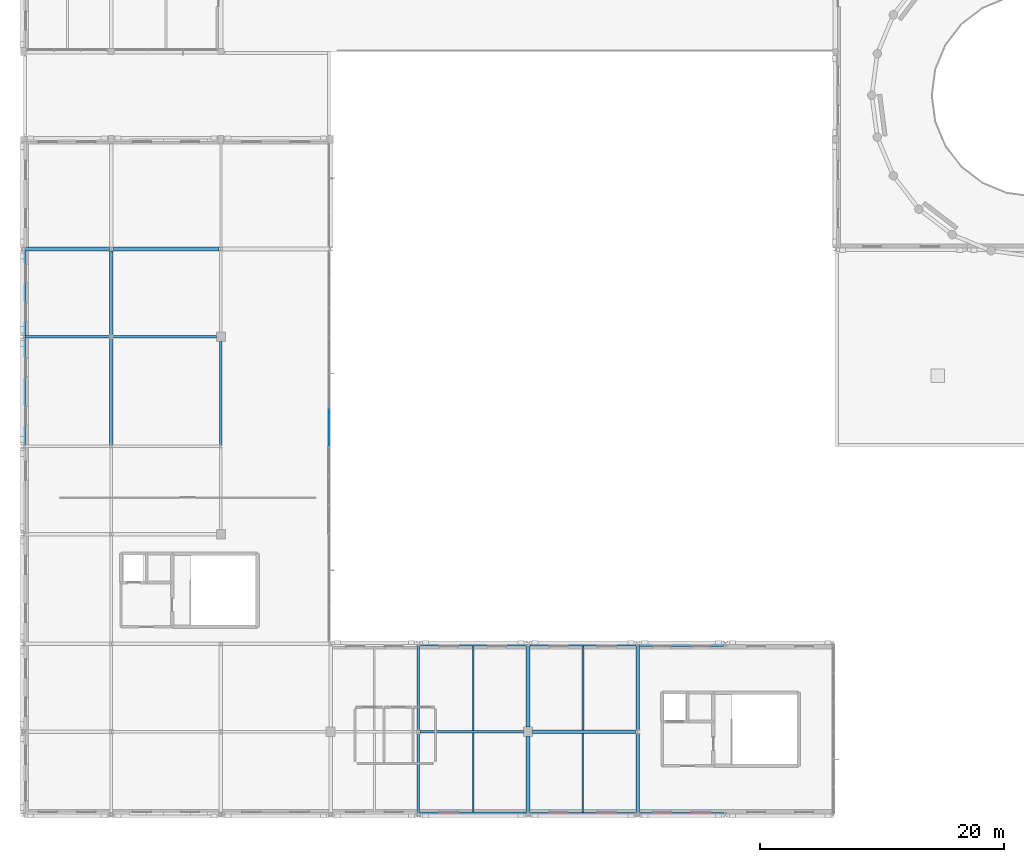
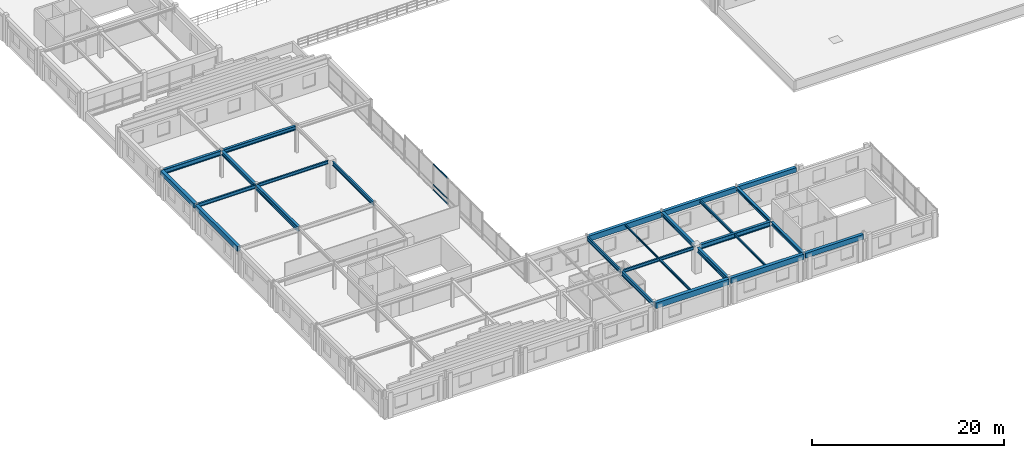
# One storey, part 18 of 74: 27 beams, 3 members, 1 element without a shape of its own.
"""IFC4 building model written with IfcOpenShell, lengths in metres."""

from ifc_helpers import new_model, si_unit, direction, frame, origin, origin_2d, place, context, subcontext, project, spatial, rectangle, i_section, extrude, material, material_profile, profile_set, type_object, element, aggregate, save


model = new_model("IFC4")

# Units and contexts
model_context = context("Model", 3, precision=1e-05, world=origin(), true_north=direction((0.0, 1.0)))
body_context = subcontext(model_context, "Body", "Model", "MODEL_VIEW")
ifc_project = project(units=[si_unit("LENGTHUNIT", "METRE"), si_unit("AREAUNIT", "SQUARE_METRE"), si_unit("VOLUMEUNIT", "CUBIC_METRE"), si_unit("PLANEANGLEUNIT", "RADIAN"), si_unit("MASSUNIT", "GRAM", prefix="KILO")], contexts=[model_context])

# Site, building, storey
site_placement = place(None, origin())
site = spatial("IfcSite", under=ifc_project, at=site_placement, CompositionType="ELEMENT")
building_placement = place(site_placement, origin())
building = spatial("IfcBuilding", under=site, at=building_placement, Name="Clarverna Civic Hall", CompositionType="ELEMENT")
storey_placement = place(building_placement, frame((0.0, 0.0, 13.199951171875)))
storey = spatial("IfcBuildingStorey", under=building, at=storey_placement, Name="L03", CompositionType="ELEMENT", Elevation=13.199951171875)

# Beams
ifc_material_1 = material(Name="Concrete C35/45", Category="concrete")
ifc_material_profile_1 = material_profile(ifc_material_1, rectangle(XDim=0.419921875, YDim=0.719970703125, at=origin_2d()), Name="RC 420x720")
ifc_profile_set_1 = profile_set([ifc_material_profile_1], Name="Concrete C35/45")
beam_type_1 = type_object("IfcBeamType", Name="B-SP1", PredefinedType="SPANDREL", material=ifc_profile_set_1)
beam_1_placement = place(storey_placement, frame((32.5, 0.0, 2.97998046875), z_axis=(1.0, 0.0, 0.0), x_axis=(0.0, 1.0, 0.0)))
element("IfcBeam", 1, at=beam_1_placement, inside=storey, type_object=beam_type_1, Name="B-SP1-107", PredefinedType="SPANDREL", context=body_context, shape_type="SweptSolid", body=[
    extrude(rectangle(XDim=0.419921875, YDim=0.719970703125, at=origin_2d()), origin(), (0.0, 0.0, 1.0), 8.800048828125),
])
ifc_material_profile_2 = material_profile(ifc_material_1, rectangle(XDim=0.3798828125, YDim=0.679931640625, at=origin_2d()), Name="RC 380x680")
ifc_profile_set_2 = profile_set([ifc_material_profile_2], Name="Concrete C35/45")
beam_type_2 = type_object("IfcBeamType", Name="B-SP2", PredefinedType="SPANDREL", material=ifc_profile_set_2)
beam_2_placement = place(storey_placement, frame((41.5, 0.0, 3.0), z_axis=(1.0, 0.0, 0.0), x_axis=(0.0, 1.0, 0.0)))
element("IfcBeam", 2, at=beam_2_placement, inside=storey, type_object=beam_type_2, Name="B-SP2-110", PredefinedType="SPANDREL", context=body_context, shape_type="SweptSolid", body=[
    extrude(rectangle(XDim=0.3798828125, YDim=0.679931640625, at=origin_2d()), origin(), (0.0, 0.0, 1.0), 8.800048828125),
])
beam_3_placement = place(storey_placement, frame((32.5400390625, 14.0, 3.0), z_axis=(1.0, 0.0, 0.0), x_axis=(0.0, 1.0, 0.0)))
element("IfcBeam", 3, at=beam_3_placement, inside=storey, type_object=beam_type_2, Name="B-SP2-111", PredefinedType="SPANDREL", context=body_context, shape_type="SweptSolid", body=[
    extrude(rectangle(XDim=0.3798828125, YDim=0.679931640625, at=origin_2d()), origin(), (0.0, 0.0, 1.0), 8.719970703125),
])
ifc_material_profile_3 = material_profile(ifc_material_1, rectangle(XDim=0.360107421875, YDim=0.6201171875, at=origin_2d()), Name="RC 360x620")
ifc_profile_set_3 = profile_set([ifc_material_profile_3], Name="Concrete C35/45")
beam_type_3 = type_object("IfcBeamType", Name="B-SP3", PredefinedType="SPANDREL", material=ifc_profile_set_3)
beam_4_placement = place(storey_placement, frame((50.5, 0.0, 3.030029296875), z_axis=(1.0, 0.0, 0.0), x_axis=(0.0, 1.0, 0.0)))
element("IfcBeam", 4, at=beam_4_placement, inside=storey, type_object=beam_type_3, Name="B-SP3-108", PredefinedType="SPANDREL", context=body_context, shape_type="SweptSolid", body=[
    extrude(rectangle(XDim=0.360107421875, YDim=0.6201171875, at=origin_2d()), origin(), (0.0, 0.0, 1.0), 6.949951171875),
])
beam_5_placement = place(storey_placement, frame((41.5400390625, 14.0, 3.030029296875), z_axis=(1.0, 0.0, 0.0), x_axis=(0.0, 1.0, 0.0)))
element("IfcBeam", 5, at=beam_5_placement, inside=storey, type_object=beam_type_3, Name="B-SP3-109", PredefinedType="SPANDREL", context=body_context, shape_type="SweptSolid", body=[
    extrude(rectangle(XDim=0.360107421875, YDim=0.6201171875, at=origin_2d()), origin(), (0.0, 0.0, 1.0), 8.719970703125),
])
beam_6_placement = place(storey_placement, frame((0.0, 30.330078125, 3.130126953125), z_axis=(0.0, 1.0, 0.0), x_axis=(-1.0, 0.0, 0.0)))
element("IfcBeam", 6, at=beam_6_placement, inside=storey, type_object=beam_type_3, Name="B-SP3-120", PredefinedType="SPANDREL", context=body_context, shape_type="SweptSolid", body=[
    extrude(rectangle(XDim=0.360107421875, YDim=0.6201171875, at=origin_2d()), origin(), (0.0, 0.0, 1.0), 8.75),
])
ifc_material_profile_4 = material_profile(ifc_material_1, rectangle(XDim=0.39990234375, YDim=0.56005859375, at=origin_2d()), Name="RC 400x560")
ifc_profile_set_4 = profile_set([ifc_material_profile_4], Name="Concrete C35/45")
beam_type_4 = type_object("IfcBeamType", Name="B-SP4", PredefinedType="SPANDREL", material=ifc_profile_set_4)
beam_7_placement = place(storey_placement, frame((50.5400390625, 14.0, 3.06005859375), z_axis=(1.0, 0.0, 0.0), x_axis=(0.0, 1.0, 0.0)))
element("IfcBeam", 7, at=beam_7_placement, inside=storey, type_object=beam_type_4, Name="B-SP4-109", PredefinedType="SPANDREL", context=body_context, shape_type="SweptSolid", body=[
    extrude(rectangle(XDim=0.39990234375, YDim=0.56005859375, at=origin_2d()), origin(), (0.0, 0.0, 1.0), 6.919921875),
])
beam_8_placement = place(storey_placement, frame((0.0, 39.320068359375, 3.16015625), z_axis=(0.0, 1.0, 0.0), x_axis=(-1.0, 0.0, 0.0)))
element("IfcBeam", 8, at=beam_8_placement, inside=storey, type_object=beam_type_4, Name="B-SP4-120", PredefinedType="SPANDREL", context=body_context, shape_type="SweptSolid", body=[
    extrude(rectangle(XDim=0.39990234375, YDim=0.56005859375, at=origin_2d()), origin(), (0.0, 0.0, 1.0), 6.97998046875),
])
ifc_material_2 = material(Name="Steel S355", Category="steel")
ifc_material_profile_5 = material_profile(ifc_material_2, i_section(OverallWidth=0.300048828125, OverallDepth=0.60009765625, WebThickness=0.015380859375, FlangeThickness=0.030029296875, FilletRadius=0.027099609375, at=origin_2d()), Name="HEB 600")
ifc_profile_set_5 = profile_set([ifc_material_profile_5], Name="Steel S355")
beam_type_5 = type_object("IfcBeamType", Name="B-ST1", PredefinedType="BEAM", material=ifc_profile_set_5)
beam_9_placement = place(storey_placement, frame((41.77490234375, 6.800048828125, 3.0400390625), z_axis=(1.0, 0.0, 0.0), x_axis=(0.0, 1.0, 0.0)))
element("IfcBeam", 9, at=beam_9_placement, inside=storey, type_object=beam_type_5, Name="B-ST1-012", PredefinedType="BEAM", context=body_context, shape_type="SweptSolid", body=[
    extrude(i_section(OverallWidth=0.300048828125, OverallDepth=0.60009765625, WebThickness=0.015380859375, FlangeThickness=0.030029296875, FilletRadius=0.027099609375, at=origin_2d()), origin(), (0.0, 0.0, 1.0), 8.47509765625),
])
beam_10_placement = place(storey_placement, frame((0.10009765625, 46.39990234375, 3.14013671875), z_axis=(1.0, 0.0, 0.0), x_axis=(0.0, 1.0, 0.0)))
element("IfcBeam", 10, at=beam_10_placement, inside=storey, type_object=beam_type_5, Name="B-ST1-013", PredefinedType="BEAM", context=body_context, shape_type="SweptSolid", body=[
    extrude(i_section(OverallWidth=0.300048828125, OverallDepth=0.60009765625, WebThickness=0.015380859375, FlangeThickness=0.030029296875, FilletRadius=0.027099609375, at=origin_2d()), origin(), (0.0, 0.0, 1.0), 6.949951171875),
])
beam_11_placement = place(storey_placement, frame((7.199951171875, 30.320068359375, 3.14013671875), z_axis=(0.0, 1.0, 0.0), x_axis=(-1.0, 0.0, 0.0)))
element("IfcBeam", 11, at=beam_11_placement, inside=storey, type_object=beam_type_5, Name="B-ST1-015", PredefinedType="BEAM", context=body_context, shape_type="SweptSolid", body=[
    extrude(i_section(OverallWidth=0.300048828125, OverallDepth=0.60009765625, WebThickness=0.015380859375, FlangeThickness=0.030029296875, FilletRadius=0.027099609375, at=origin_2d()), origin(), (0.0, 0.0, 1.0), 8.780029296875),
])
beam_12_placement = place(storey_placement, frame((41.39990234375, 0.10009765625, 3.0400390625), z_axis=(0.0, 1.0, 0.0), x_axis=(-1.0, 0.0, 0.0)))
element("IfcBeam", 12, at=beam_12_placement, inside=storey, type_object=beam_type_5, Name="B-ST1-016", PredefinedType="BEAM", context=body_context, shape_type="SweptSolid", body=[
    extrude(i_section(OverallWidth=0.300048828125, OverallDepth=0.60009765625, WebThickness=0.015380859375, FlangeThickness=0.030029296875, FilletRadius=0.027099609375, at=origin_2d()), origin(), (0.0, 0.0, 1.0), 6.324951171875),
])
ifc_material_profile_6 = material_profile(ifc_material_2, i_section(OverallWidth=0.2099609375, OverallDepth=0.550048828125, WebThickness=0.010986328125, FlangeThickness=0.01708984375, FilletRadius=0.02392578125, at=origin_2d()), Name="IPE 550")
ifc_profile_set_6 = profile_set([ifc_material_profile_6], Name="Steel S355")
beam_type_6 = type_object("IfcBeamType", Name="B-ST11", PredefinedType="BEAM", material=ifc_profile_set_6)
beam_13_placement = place(storey_placement, frame((32.39990234375, 0.10009765625, 3.06494140625), z_axis=(0.0, 1.0, 0.0), x_axis=(-1.0, 0.0, 0.0)))
element("IfcBeam", 13, at=beam_13_placement, inside=storey, type_object=beam_type_6, Name="B-ST11-018", PredefinedType="BEAM", context=body_context, shape_type="SweptSolid", body=[
    extrude(i_section(OverallWidth=0.2099609375, OverallDepth=0.550048828125, WebThickness=0.010986328125, FlangeThickness=0.01708984375, FilletRadius=0.02392578125, at=origin_2d()), origin(), (0.0, 0.0, 1.0), 6.5498046875),
])
ifc_material_profile_7 = material_profile(ifc_material_2, i_section(OverallWidth=0.199951171875, OverallDepth=0.5, WebThickness=0.01025390625, FlangeThickness=0.01611328125, FilletRadius=0.02099609375, at=origin_2d()), Name="IPE 500")
ifc_profile_set_7 = profile_set([ifc_material_profile_7], Name="Steel S355")
beam_type_7 = type_object("IfcBeamType", Name="B-ST12", PredefinedType="BEAM", material=ifc_profile_set_7)
beam_14_placement = place(storey_placement, frame((16.199951171875, 30.320068359375, 3.18994140625), z_axis=(0.0, 1.0, 0.0), x_axis=(-1.0, 0.0, 0.0)))
element("IfcBeam", 14, at=beam_14_placement, inside=storey, type_object=beam_type_7, Name="B-ST12-015", PredefinedType="BEAM", context=body_context, shape_type="SweptSolid", body=[
    extrude(i_section(OverallWidth=0.199951171875, OverallDepth=0.5, WebThickness=0.01025390625, FlangeThickness=0.01611328125, FilletRadius=0.02099609375, at=origin_2d()), origin(), (0.0, 0.0, 1.0), 8.5048828125),
])
beam_15_placement = place(storey_placement, frame((32.39990234375, 6.949951171875, 3.090087890625), z_axis=(0.0, 1.0, 0.0), x_axis=(-1.0, 0.0, 0.0)))
element("IfcBeam", 15, at=beam_15_placement, inside=storey, type_object=beam_type_7, Name="B-ST12-016", PredefinedType="BEAM", context=body_context, shape_type="SweptSolid", body=[
    extrude(i_section(OverallWidth=0.199951171875, OverallDepth=0.5, WebThickness=0.01025390625, FlangeThickness=0.01611328125, FilletRadius=0.02099609375, at=origin_2d()), origin(), (0.0, 0.0, 1.0), 6.91015625),
])
ifc_material_profile_8 = material_profile(ifc_material_2, i_section(OverallWidth=0.18994140625, OverallDepth=0.449951171875, WebThickness=0.009521484375, FlangeThickness=0.0146484375, FilletRadius=0.02099609375, at=origin_2d()), Name="IPE 450")
ifc_profile_set_8 = profile_set([ifc_material_profile_8], Name="Steel S355")
beam_type_8 = type_object("IfcBeamType", Name="B-ST13", PredefinedType="BEAM", material=ifc_profile_set_8)
beam_16_placement = place(storey_placement, frame((0.1201171875, 39.199951171875, 3.215087890625), z_axis=(1.0, 0.0, 0.0), x_axis=(0.0, 1.0, 0.0)))
element("IfcBeam", 16, at=beam_16_placement, inside=storey, type_object=beam_type_8, Name="B-ST13-013", PredefinedType="BEAM", context=body_context, shape_type="SweptSolid", body=[
    extrude(i_section(OverallWidth=0.18994140625, OverallDepth=0.449951171875, WebThickness=0.009521484375, FlangeThickness=0.0146484375, FilletRadius=0.02099609375, at=origin_2d()), origin(), (0.0, 0.0, 1.0), 6.97998046875),
])
ifc_material_profile_9 = material_profile(ifc_material_2, i_section(OverallWidth=0.179931640625, OverallDepth=0.39990234375, WebThickness=0.008544921875, FlangeThickness=0.013427734375, FilletRadius=0.02099609375, at=origin_2d()), Name="IPE 400")
ifc_profile_set_9 = profile_set([ifc_material_profile_9], Name="Steel S355")
beam_type_9 = type_object("IfcBeamType", Name="B-ST14", PredefinedType="BEAM", material=ifc_profile_set_9)
beam_17_placement = place(storey_placement, frame((32.550048828125, 6.800048828125, 3.14013671875), z_axis=(1.0, 0.0, 0.0), x_axis=(0.0, 1.0, 0.0)))
element("IfcBeam", 17, at=beam_17_placement, inside=storey, type_object=beam_type_9, Name="B-ST14-014", PredefinedType="BEAM", context=body_context, shape_type="SweptSolid", body=[
    extrude(i_section(OverallWidth=0.179931640625, OverallDepth=0.39990234375, WebThickness=0.008544921875, FlangeThickness=0.013427734375, FilletRadius=0.02099609375, at=origin_2d()), origin(), (0.0, 0.0, 1.0), 8.474853515625),
])
beam_18_placement = place(storey_placement, frame((7.300048828125, 39.199951171875, 3.239990234375), z_axis=(1.0, 0.0, 0.0), x_axis=(0.0, 1.0, 0.0)))
element("IfcBeam", 18, at=beam_18_placement, inside=storey, type_object=beam_type_9, Name="B-ST14-015", PredefinedType="BEAM", context=body_context, shape_type="SweptSolid", body=[
    extrude(i_section(OverallWidth=0.179931640625, OverallDepth=0.39990234375, WebThickness=0.008544921875, FlangeThickness=0.013427734375, FilletRadius=0.02099609375, at=origin_2d()), origin(), (0.0, 0.0, 1.0), 8.52490234375),
])
ifc_material_profile_10 = material_profile(ifc_material_2, i_section(OverallWidth=0.300048828125, OverallDepth=0.5, WebThickness=0.014404296875, FlangeThickness=0.028076171875, FilletRadius=0.027099609375, at=origin_2d()), Name="HEB 500")
ifc_profile_set_10 = profile_set([ifc_material_profile_10], Name="Steel S355")
beam_type_10 = type_object("IfcBeamType", Name="B-ST2", PredefinedType="BEAM", material=ifc_profile_set_10)
beam_19_placement = place(storey_placement, frame((7.35009765625, 46.39990234375, 3.18994140625), z_axis=(1.0, 0.0, 0.0), x_axis=(0.0, 1.0, 0.0)))
element("IfcBeam", 19, at=beam_19_placement, inside=storey, type_object=beam_type_10, Name="B-ST2-010", PredefinedType="BEAM", context=body_context, shape_type="SweptSolid", body=[
    extrude(i_section(OverallWidth=0.300048828125, OverallDepth=0.5, WebThickness=0.014404296875, FlangeThickness=0.028076171875, FilletRadius=0.027099609375, at=origin_2d()), origin(), (0.0, 0.0, 1.0), 8.699951171875),
])
beam_20_placement = place(storey_placement, frame((7.199951171875, 39.300048828125, 3.18994140625), z_axis=(0.0, 1.0, 0.0), x_axis=(-1.0, 0.0, 0.0)))
element("IfcBeam", 20, at=beam_20_placement, inside=storey, type_object=beam_type_10, Name="B-ST2-015", PredefinedType="BEAM", context=body_context, shape_type="SweptSolid", body=[
    extrude(i_section(OverallWidth=0.300048828125, OverallDepth=0.5, WebThickness=0.014404296875, FlangeThickness=0.028076171875, FilletRadius=0.027099609375, at=origin_2d()), origin(), (0.0, 0.0, 1.0), 6.949951171875),
])
beam_21_placement = place(storey_placement, frame((41.39990234375, 7.175048828125, 3.090087890625), z_axis=(0.0, 1.0, 0.0), x_axis=(-1.0, 0.0, 0.0)))
element("IfcBeam", 21, at=beam_21_placement, inside=storey, type_object=beam_type_10, Name="B-ST2-016", PredefinedType="BEAM", context=body_context, shape_type="SweptSolid", body=[
    extrude(i_section(OverallWidth=0.300048828125, OverallDepth=0.5, WebThickness=0.014404296875, FlangeThickness=0.028076171875, FilletRadius=0.027099609375, at=origin_2d()), origin(), (0.0, 0.0, 1.0), 6.68505859375),
])
ifc_material_profile_11 = material_profile(ifc_material_2, i_section(OverallWidth=0.300048828125, OverallDepth=0.43994140625, WebThickness=0.011474609375, FlangeThickness=0.02099609375, FilletRadius=0.027099609375, at=origin_2d()), Name="HEA 450")
ifc_profile_set_11 = profile_set([ifc_material_profile_11], Name="Steel S355")
beam_type_11 = type_object("IfcBeamType", Name="B-ST5", PredefinedType="BEAM", material=ifc_profile_set_11)
beam_22_placement = place(storey_placement, frame((50.39990234375, 0.10009765625, 3.1201171875), z_axis=(0.0, 1.0, 0.0), x_axis=(-1.0, 0.0, 0.0)))
element("IfcBeam", 22, at=beam_22_placement, inside=storey, type_object=beam_type_11, Name="B-ST5-111", PredefinedType="BEAM", context=body_context, shape_type="SweptSolid", body=[
    extrude(i_section(OverallWidth=0.300048828125, OverallDepth=0.43994140625, WebThickness=0.011474609375, FlangeThickness=0.02099609375, FilletRadius=0.027099609375, at=origin_2d()), origin(), (0.0, 0.0, 1.0), 6.5498046875),
])
ifc_material_profile_12 = material_profile(ifc_material_2, i_section(OverallWidth=0.300048828125, OverallDepth=0.389892578125, WebThickness=0.010986328125, FlangeThickness=0.01904296875, FilletRadius=0.027099609375, at=origin_2d()), Name="HEA 400")
ifc_profile_set_12 = profile_set([ifc_material_profile_12], Name="Steel S355")
beam_type_12 = type_object("IfcBeamType", Name="B-ST6", PredefinedType="BEAM", material=ifc_profile_set_12)
beam_23_placement = place(storey_placement, frame((50.39990234375, 6.949951171875, 3.14501953125), z_axis=(0.0, 1.0, 0.0), x_axis=(-1.0, 0.0, 0.0)))
element("IfcBeam", 23, at=beam_23_placement, inside=storey, type_object=beam_type_12, Name="B-ST6-016", PredefinedType="BEAM", context=body_context, shape_type="SweptSolid", body=[
    extrude(i_section(OverallWidth=0.300048828125, OverallDepth=0.389892578125, WebThickness=0.010986328125, FlangeThickness=0.01904296875, FilletRadius=0.027099609375, at=origin_2d()), origin(), (0.0, 0.0, 1.0), 6.91015625),
])

# Curtain wall, members
ifc_material_3 = material(Name="Anodised Bronze Architectural Aluminium", Category="aluminium")
curtain_wall_type = type_object("IfcCurtainWallType", Name="CW-05", PredefinedType="USERDEFINED", material=ifc_material_3)
curtain_wall_placement = place(storey_placement, origin())
curtain_wall = element("IfcCurtainWall", 24, at=curtain_wall_placement, inside=storey, type_object=curtain_wall_type, Name="CW-05-018", ObjectType="UNITISED CURTAIN WALL", PredefinedType="USERDEFINED")
ifc_material_profile_13 = material_profile(ifc_material_3, rectangle(XDim=0.06005859375, YDim=0.1298828125, at=origin_2d()), Name="BRONZE 60x130")
ifc_profile_set_13 = profile_set([ifc_material_profile_13], Name="Anodised Bronze Architectural Aluminium")
member_type = type_object("IfcMemberType", Name="CWT-02", PredefinedType="USERDEFINED", material=ifc_profile_set_13)
member_1_placement = place(storey_placement, frame((25.06005859375, 33.196044921875, 0.094970703125), z_axis=(0.0, -1.0, 0.0), x_axis=(1.0, 0.0, 0.0)))
member_1 = element("IfcMember", 25, at=member_1_placement, type_object=member_type, Name="CWT-02-394", ObjectType="TRANSOM", PredefinedType="USERDEFINED", context=body_context, shape_type="SweptSolid", body=[
    extrude(rectangle(XDim=0.06005859375, YDim=0.1298828125, at=origin_2d()), origin(), (0.0, 0.0, 1.0), 2.947998046875),
])
member_2_placement = place(storey_placement, frame((25.06005859375, 33.196044921875, 0.75), z_axis=(0.0, -1.0, 0.0), x_axis=(1.0, 0.0, 0.0)))
member_2 = element("IfcMember", 26, at=member_2_placement, type_object=member_type, Name="CWT-02-395", ObjectType="TRANSOM", PredefinedType="USERDEFINED", context=body_context, shape_type="SweptSolid", body=[
    extrude(rectangle(XDim=0.06005859375, YDim=0.1298828125, at=origin_2d()), origin(), (0.0, 0.0, 1.0), 2.947998046875),
])
member_3_placement = place(storey_placement, frame((25.06005859375, 33.196044921875, 3.344970703125), z_axis=(0.0, -1.0, 0.0), x_axis=(1.0, 0.0, 0.0)))
member_3 = element("IfcMember", 27, at=member_3_placement, type_object=member_type, Name="CWT-02-396", ObjectType="TRANSOM", PredefinedType="USERDEFINED", context=body_context, shape_type="SweptSolid", body=[
    extrude(rectangle(XDim=0.06005859375, YDim=0.1298828125, at=origin_2d()), origin(), (0.0, 0.0, 1.0), 2.947998046875),
])
aggregate(curtain_wall, [member_1, member_2, member_3])

# Beams
ifc_material_profile_14 = material_profile(ifc_material_2, i_section(OverallWidth=0.169921875, OverallDepth=0.360107421875, WebThickness=0.008056640625, FlangeThickness=0.0126953125, FilletRadius=0.01806640625, at=origin_2d()), Name="IPE 360")
ifc_profile_set_14 = profile_set([ifc_material_profile_14], Name="Steel S355")
beam_type_13 = type_object("IfcBeamType", Name="J-ST1", PredefinedType="JOIST", material=ifc_profile_set_14)
beam_24_placement = place(storey_placement, frame((45.89990234375, 6.949951171875, 3.16015625), z_axis=(0.0, 1.0, 0.0), x_axis=(-1.0, 0.0, 0.0)))
element("IfcBeam", 28, at=beam_24_placement, inside=storey, type_object=beam_type_13, Name="J-ST1-060", PredefinedType="JOIST", context=body_context, shape_type="SweptSolid", body=[
    extrude(i_section(OverallWidth=0.169921875, OverallDepth=0.360107421875, WebThickness=0.008056640625, FlangeThickness=0.0126953125, FilletRadius=0.01806640625, at=origin_2d()), origin(), (0.0, 0.0, 1.0), 6.8701171875),
])
ifc_material_profile_15 = material_profile(ifc_material_2, i_section(OverallWidth=0.14990234375, OverallDepth=0.300048828125, WebThickness=0.007080078125, FlangeThickness=0.0107421875, FilletRadius=0.014892578125, at=origin_2d()), Name="IPE 300")
ifc_profile_set_15 = profile_set([ifc_material_profile_15], Name="Steel S355")
beam_type_14 = type_object("IfcBeamType", Name="J-ST3", PredefinedType="JOIST", material=ifc_profile_set_15)
beam_25_placement = place(storey_placement, frame((36.89990234375, 0.2099609375, 3.18994140625), z_axis=(0.0, 1.0, 0.0), x_axis=(-1.0, 0.0, 0.0)))
element("IfcBeam", 29, at=beam_25_placement, inside=storey, type_object=beam_type_14, Name="J-ST3-060", PredefinedType="JOIST", context=body_context, shape_type="SweptSolid", body=[
    extrude(i_section(OverallWidth=0.14990234375, OverallDepth=0.300048828125, WebThickness=0.007080078125, FlangeThickness=0.0107421875, FilletRadius=0.014892578125, at=origin_2d()), origin(), (0.0, 0.0, 1.0), 6.5),
])
ifc_material_profile_16 = material_profile(ifc_material_2, i_section(OverallWidth=0.135009765625, OverallDepth=0.27001953125, WebThickness=0.006591796875, FlangeThickness=0.01025390625, FilletRadius=0.014892578125, at=origin_2d()), Name="IPE 270")
ifc_profile_set_16 = profile_set([ifc_material_profile_16], Name="Steel S355")
beam_type_15 = type_object("IfcBeamType", Name="J-ST4", PredefinedType="JOIST", material=ifc_profile_set_16)
beam_26_placement = place(storey_placement, frame((45.89990234375, 0.18994140625, 3.205078125), z_axis=(0.0, 1.0, 0.0), x_axis=(-1.0, 0.0, 0.0)))
element("IfcBeam", 30, at=beam_26_placement, inside=storey, type_object=beam_type_15, Name="J-ST4-062", PredefinedType="JOIST", context=body_context, shape_type="SweptSolid", body=[
    extrude(i_section(OverallWidth=0.135009765625, OverallDepth=0.27001953125, WebThickness=0.006591796875, FlangeThickness=0.01025390625, FilletRadius=0.014892578125, at=origin_2d()), origin(), (0.0, 0.0, 1.0), 6.4599609375),
])
ifc_material_profile_17 = material_profile(ifc_material_2, i_section(OverallWidth=0.110107421875, OverallDepth=0.219970703125, WebThickness=0.005859375, FlangeThickness=0.00927734375, FilletRadius=0.011962890625, at=origin_2d()), Name="IPE 220")
ifc_profile_set_17 = profile_set([ifc_material_profile_17], Name="Steel S355")
beam_type_16 = type_object("IfcBeamType", Name="J-ST6", PredefinedType="JOIST", material=ifc_profile_set_17)
beam_27_placement = place(storey_placement, frame((36.89990234375, 6.889892578125, 3.22998046875), z_axis=(0.0, 1.0, 0.0), x_axis=(-1.0, 0.0, 0.0)))
element("IfcBeam", 31, at=beam_27_placement, inside=storey, type_object=beam_type_16, Name="J-ST6-060", PredefinedType="JOIST", context=body_context, shape_type="SweptSolid", body=[
    extrude(i_section(OverallWidth=0.110107421875, OverallDepth=0.219970703125, WebThickness=0.005859375, FlangeThickness=0.00927734375, FilletRadius=0.011962890625, at=origin_2d()), origin(), (0.0, 0.0, 1.0), 6.920166015625),
])

save(model, "model.ifc")
